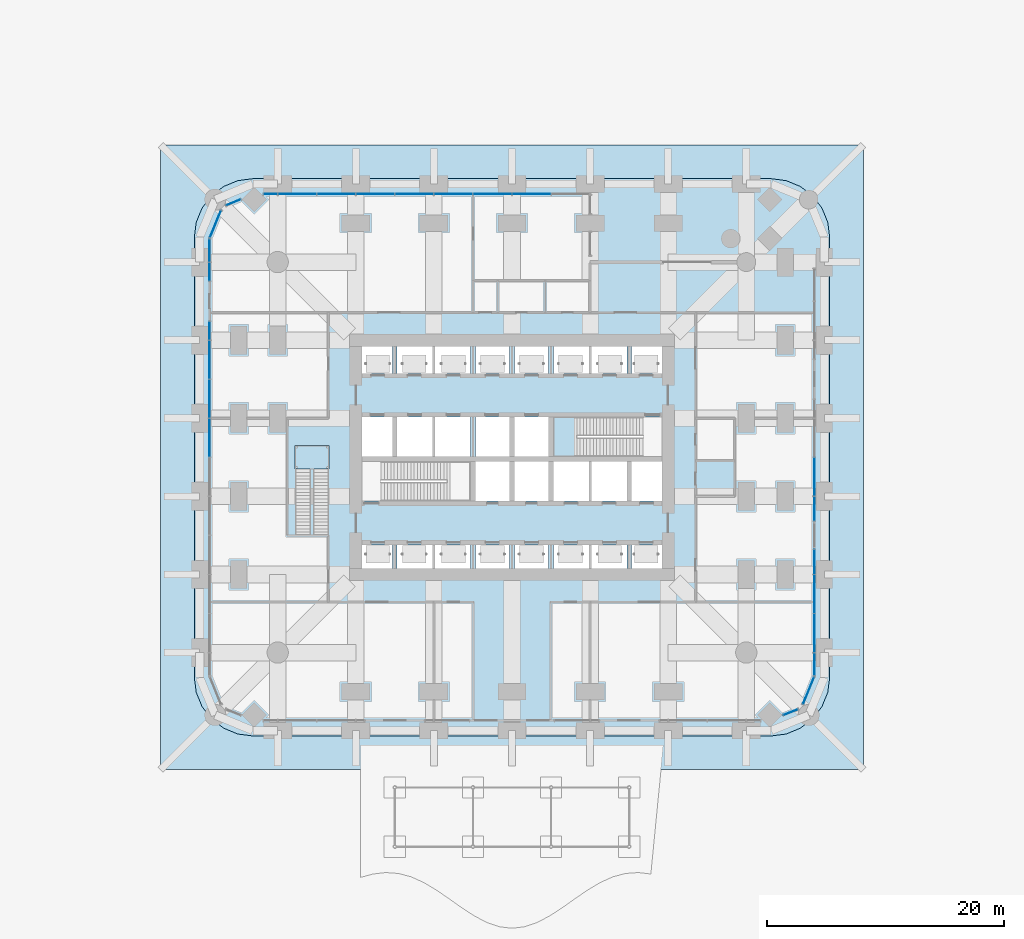
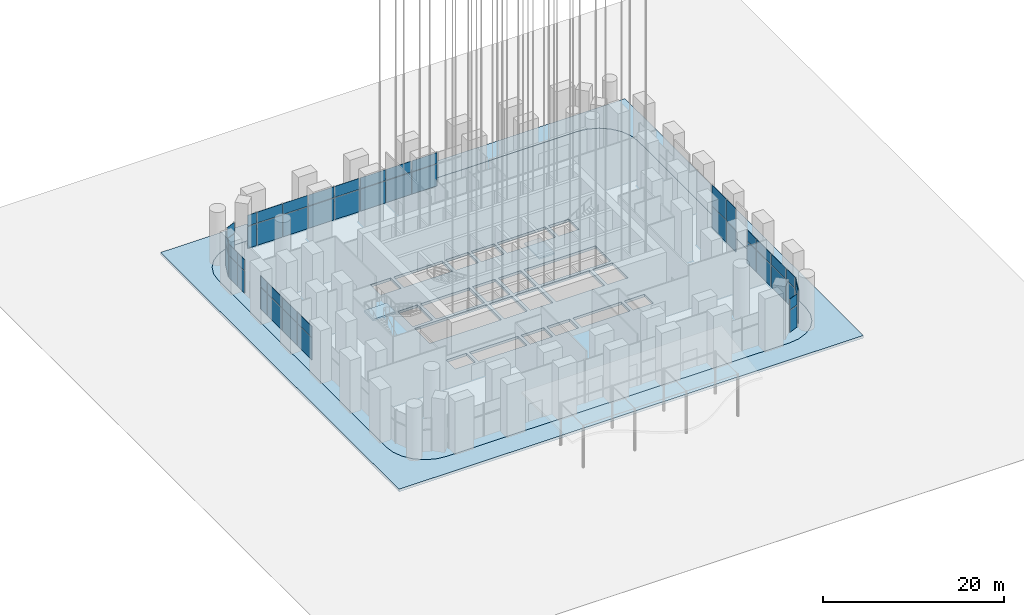
# One storey, part 13 of 32: 48 plates, 4 slabs, 11 elements without a shape of their own.
"""IFC4 building model written with IfcOpenShell, lengths in metres."""

from ifc_helpers import new_model, si_unit, direction, frame, origin, origin_2d, place, context, subcontext, project, spatial, polyline, rectangle, outline, extrude, material, layer, layer_set, type_object, element, aggregate, save


model = new_model("IFC4")

# Units and contexts
model_context = context("Model", 3, precision=1e-05, world=origin(), true_north=direction((0.0, 1.0)))
body_context = subcontext(model_context, "Body", "Model", "MODEL_VIEW")
ifc_project = project(units=[si_unit("LENGTHUNIT", "METRE"), si_unit("AREAUNIT", "SQUARE_METRE"), si_unit("VOLUMEUNIT", "CUBIC_METRE"), si_unit("PLANEANGLEUNIT", "RADIAN"), si_unit("MASSUNIT", "GRAM", prefix="KILO")], contexts=[model_context])

# Site, building, storey
site_placement = place(None, origin())
site = spatial("IfcSite", under=ifc_project, at=site_placement, CompositionType="ELEMENT")
building_placement = place(site_placement, origin())
building = spatial("IfcBuilding", under=site, at=building_placement, Name="Cobogo Forest Laboratory Tower", CompositionType="ELEMENT")
storey_placement = place(building_placement, origin())
storey = spatial("IfcBuildingStorey", under=building, at=storey_placement, Name="L00", CompositionType="ELEMENT", Elevation=0.0)

# Stair, slab
ifc_material_1 = material(Name="Cast-in-place concrete HA-40 (C40/50)", Category="concrete")
stair_type_1 = type_object("IfcStairType", Name="FST1 feature stair 42 risers", PredefinedType="HALF_TURN_STAIR", material=ifc_material_1)
stair_1_placement = place(storey_placement, origin())
stair_1 = element("IfcStair", 1, at=stair_1_placement, inside=storey, type_object=stair_type_1, Name="Feature stair FST1 L00 to L01", PredefinedType="HALF_TURN_STAIR")
ifc_material_2 = material(Name="Concrete HA-40 (C40/50)", Category="concrete")
ifc_layer_1 = layer(ifc_material_2, 0.25)
ifc_layer_set_1 = layer_set([ifc_layer_1], Name="FSL feature stair landing 250")
slab_type_1 = type_object("IfcSlabType", Name="FSL feature stair landing 250", PredefinedType="LANDING", material=ifc_layer_set_1)
slab_1_placement = place(storey_placement, frame((0.0, 0.0, 3.35009765625)))
slab_1 = element("IfcSlab", 2, at=slab_1_placement, type_object=slab_type_1, Name="FST1 landing 1", PredefinedType="LANDING", context=body_context, shape_type="SweptSolid", body=[
    extrude(outline(polyline([(8.050048828125, 22.10009765625), (10.949951171875, 22.10009765625), (10.949951171875, 24.10009765625), (8.050048828125, 24.10009765625), (8.050048828125, 22.10009765625)])), origin(), (0.0, 0.0, 1.0), 0.25),
])
aggregate(stair_1, [slab_1])

# Curtain wall, plates
ifc_material_3 = material(Name="Aluminium curtain wall", Category="aluminium")
curtain_wall_type = type_object("IfcCurtainWallType", Name="CW-L structural glazing, entrance lobby", PredefinedType="USERDEFINED", material=ifc_material_3)
curtain_wall_1_placement = place(storey_placement, origin())
curtain_wall_1 = element("IfcCurtainWall", 3, at=curtain_wall_1_placement, inside=storey, type_object=curtain_wall_type, Name="Curtain wall 03 L00", ObjectType="STRUCTURAL GLAZING", PredefinedType="USERDEFINED")
ifc_material_4 = material(Name="Laminated insulated glass", Category="glass")
ifc_layer_2 = layer(ifc_material_4, 0.0439453125)
ifc_layer_set_2 = layer_set([ifc_layer_2], Name="GP-3 laminated glass unit 44")
plate_type = type_object("IfcPlateType", Name="GP-3 laminated glass unit 44", PredefinedType="CURTAIN_PANEL", material=ifc_layer_set_2)
plate_1_placement = place(storey_placement, frame((0.85009765625, 24.75, 0.0), z_axis=(0.0, 0.0, 1.0), x_axis=(0.0, 1.0, 0.0)))
plate_1 = element("IfcPlate", 4, at=plate_1_placement, type_object=plate_type, Name="CW-L panel 7.1", PredefinedType="CURTAIN_PANEL", context=body_context, shape_type="SweptSolid", body=[
    extrude(rectangle(XDim=3.219970703125, YDim=0.0439453125, at=origin_2d()), origin(), (0.0, 0.0, 1.0), 2.9599609375),
])
plate_2_placement = place(storey_placement, frame((0.85009765625, 24.75, 3.0400390625), z_axis=(0.0, 0.0, 1.0), x_axis=(0.0, 1.0, 0.0)))
plate_2 = element("IfcPlate", 5, at=plate_2_placement, type_object=plate_type, Name="CW-L panel 7.2", PredefinedType="CURTAIN_PANEL", context=body_context, shape_type="SweptSolid", body=[
    extrude(rectangle(XDim=3.219970703125, YDim=0.0439453125, at=origin_2d()), origin(), (0.0, 0.0, 1.0), 1.4599609375),
])
plate_3_placement = place(storey_placement, frame((0.85009765625, 28.050048828125, 0.0), z_axis=(0.0, 0.0, 1.0), x_axis=(0.0, 1.0, 0.0)))
plate_3 = element("IfcPlate", 6, at=plate_3_placement, type_object=plate_type, Name="CW-L panel 8.1", PredefinedType="CURTAIN_PANEL", context=body_context, shape_type="SweptSolid", body=[
    extrude(rectangle(XDim=3.219970703125, YDim=0.0439453125, at=origin_2d()), origin(), (0.0, 0.0, 1.0), 2.9599609375),
])
plate_4_placement = place(storey_placement, frame((0.85009765625, 28.050048828125, 3.0400390625), z_axis=(0.0, 0.0, 1.0), x_axis=(0.0, 1.0, 0.0)))
plate_4 = element("IfcPlate", 7, at=plate_4_placement, type_object=plate_type, Name="CW-L panel 8.2", PredefinedType="CURTAIN_PANEL", context=body_context, shape_type="SweptSolid", body=[
    extrude(rectangle(XDim=3.219970703125, YDim=0.0439453125, at=origin_2d()), origin(), (0.0, 0.0, 1.0), 1.4599609375),
])
plate_5_placement = place(storey_placement, frame((0.85009765625, 31.35009765625, 0.0), z_axis=(0.0, 0.0, 1.0), x_axis=(0.0, 1.0, 0.0)))
plate_5 = element("IfcPlate", 8, at=plate_5_placement, type_object=plate_type, Name="CW-L panel 9.1", PredefinedType="CURTAIN_PANEL", context=body_context, shape_type="SweptSolid", body=[
    extrude(rectangle(XDim=3.219970703125, YDim=0.0439453125, at=origin_2d()), origin(), (0.0, 0.0, 1.0), 2.9599609375),
])
plate_6_placement = place(storey_placement, frame((0.85009765625, 31.35009765625, 3.0400390625), z_axis=(0.0, 0.0, 1.0), x_axis=(0.0, 1.0, 0.0)))
plate_6 = element("IfcPlate", 9, at=plate_6_placement, type_object=plate_type, Name="CW-L panel 9.2", PredefinedType="CURTAIN_PANEL", context=body_context, shape_type="SweptSolid", body=[
    extrude(rectangle(XDim=3.219970703125, YDim=0.0439453125, at=origin_2d()), origin(), (0.0, 0.0, 1.0), 1.4599609375),
])
plate_7_placement = place(storey_placement, frame((0.85009765625, 33.804931640625, 0.0), z_axis=(0.0, 0.0, 1.0), x_axis=(0.0, 1.0, 0.0)))
plate_7 = element("IfcPlate", 10, at=plate_7_placement, type_object=plate_type, Name="CW-L panel 10.1", PredefinedType="CURTAIN_PANEL", context=body_context, shape_type="SweptSolid", body=[
    extrude(rectangle(XDim=1.530029296875, YDim=0.0439453125, at=origin_2d()), origin(), (0.0, 0.0, 1.0), 2.9599609375),
])
plate_8_placement = place(storey_placement, frame((0.85009765625, 33.804931640625, 3.0400390625), z_axis=(0.0, 0.0, 1.0), x_axis=(0.0, 1.0, 0.0)))
plate_8 = element("IfcPlate", 11, at=plate_8_placement, type_object=plate_type, Name="CW-L panel 10.2", PredefinedType="CURTAIN_PANEL", context=body_context, shape_type="SweptSolid", body=[
    extrude(rectangle(XDim=1.530029296875, YDim=0.0439453125, at=origin_2d()), origin(), (0.0, 0.0, 1.0), 1.4599609375),
])
aggregate(curtain_wall_1, [plate_1, plate_2, plate_3, plate_4, plate_5, plate_6, plate_7, plate_8])

curtain_wall_2_placement = place(storey_placement, origin())
curtain_wall_2 = element("IfcCurtainWall", 12, at=curtain_wall_2_placement, inside=storey, type_object=curtain_wall_type, Name="Curtain wall 04 L00", ObjectType="STRUCTURAL GLAZING", PredefinedType="USERDEFINED")
plate_9_placement = place(storey_placement, frame((0.85009765625, 38.794921875, 0.0), z_axis=(0.0, 0.0, 1.0), x_axis=(0.0, 1.0, 0.0)))
plate_9 = element("IfcPlate", 13, at=plate_9_placement, type_object=plate_type, Name="CW-L panel 1.1", PredefinedType="CURTAIN_PANEL", context=body_context, shape_type="SweptSolid", body=[
    extrude(rectangle(XDim=1.530029296875, YDim=0.0439453125, at=origin_2d()), origin(), (0.0, 0.0, 1.0), 2.9599609375),
])
plate_10_placement = place(storey_placement, frame((0.85009765625, 38.794921875, 3.0400390625), z_axis=(0.0, 0.0, 1.0), x_axis=(0.0, 1.0, 0.0)))
plate_10 = element("IfcPlate", 14, at=plate_10_placement, type_object=plate_type, Name="CW-L panel 1.2", PredefinedType="CURTAIN_PANEL", context=body_context, shape_type="SweptSolid", body=[
    extrude(rectangle(XDim=1.530029296875, YDim=0.0439453125, at=origin_2d()), origin(), (0.0, 0.0, 1.0), 1.4599609375),
])
plate_11_placement = place(storey_placement, frame((0.85009765625, 40.58740234375, 0.0), z_axis=(0.0, 0.0, 1.0), x_axis=(0.0, 1.0, 0.0)))
plate_11 = element("IfcPlate", 15, at=plate_11_placement, type_object=plate_type, Name="CW-L panel 2.1", PredefinedType="CURTAIN_PANEL", context=body_context, shape_type="SweptSolid", body=[
    extrude(rectangle(XDim=1.894775390625, YDim=0.0439453125, at=origin_2d()), origin(), (0.0, 0.0, 1.0), 2.9599609375),
])
plate_12_placement = place(storey_placement, frame((0.85009765625, 40.58740234375, 3.0400390625), z_axis=(0.0, 0.0, 1.0), x_axis=(0.0, 1.0, 0.0)))
plate_12 = element("IfcPlate", 16, at=plate_12_placement, type_object=plate_type, Name="CW-L panel 2.2", PredefinedType="CURTAIN_PANEL", context=body_context, shape_type="SweptSolid", body=[
    extrude(rectangle(XDim=1.894775390625, YDim=0.0439453125, at=origin_2d()), origin(), (0.0, 0.0, 1.0), 1.4599609375),
])
aggregate(curtain_wall_2, [plate_9, plate_10, plate_11, plate_12])

curtain_wall_3_placement = place(storey_placement, origin())
curtain_wall_3 = element("IfcCurtainWall", 17, at=curtain_wall_3_placement, inside=storey, type_object=curtain_wall_type, Name="Curtain wall 05 L00", ObjectType="STRUCTURAL GLAZING", PredefinedType="USERDEFINED")
plate_13_placement = place(storey_placement, frame((1.337890625, 42.819091796875, 0.0), z_axis=(0.0, 0.0, 1.0), x_axis=(0.375506890138, 0.926819602436, 0.0)))
plate_13 = element("IfcPlate", 18, at=plate_13_placement, type_object=plate_type, Name="CW-L panel 1.1", PredefinedType="CURTAIN_PANEL", context=body_context, shape_type="SweptSolid", body=[
    extrude(rectangle(XDim=2.438720703125, YDim=0.0439453125, at=origin_2d()), origin(), (0.0, 0.0, 1.0), 2.9599609375),
])
plate_14_placement = place(storey_placement, frame((1.337890625, 42.819091796875, 3.0400390625), z_axis=(0.0, 0.0, 1.0), x_axis=(0.375506890138, 0.926819602436, 0.0)))
plate_14 = element("IfcPlate", 19, at=plate_14_placement, type_object=plate_type, Name="CW-L panel 1.2", PredefinedType="CURTAIN_PANEL", context=body_context, shape_type="SweptSolid", body=[
    extrude(rectangle(XDim=2.438720703125, YDim=0.0439453125, at=origin_2d()), origin(), (0.0, 0.0, 1.0), 1.4599609375),
])
aggregate(curtain_wall_3, [plate_13, plate_14])

curtain_wall_4_placement = place(storey_placement, origin())
curtain_wall_4 = element("IfcCurtainWall", 20, at=curtain_wall_4_placement, inside=storey, type_object=curtain_wall_type, Name="Curtain wall 06 L00", ObjectType="STRUCTURAL GLAZING", PredefinedType="USERDEFINED")
plate_15_placement = place(storey_placement, frame((2.857177734375, 44.64990234375, 0.0), z_axis=(0.0, 0.0, 1.0), x_axis=(0.926819589551, 0.37550692194, 0.0)))
plate_15 = element("IfcPlate", 21, at=plate_15_placement, type_object=plate_type, Name="CW-L panel 1.1", PredefinedType="CURTAIN_PANEL", context=body_context, shape_type="SweptSolid", body=[
    extrude(rectangle(XDim=1.30810546875, YDim=0.0439453125, at=origin_2d()), origin(), (0.0, 0.0, 1.0), 2.9599609375),
])
plate_16_placement = place(storey_placement, frame((2.857177734375, 44.64990234375, 3.0400390625), z_axis=(0.0, 0.0, 1.0), x_axis=(0.926819589551, 0.37550692194, 0.0)))
plate_16 = element("IfcPlate", 22, at=plate_16_placement, type_object=plate_type, Name="CW-L panel 1.2", PredefinedType="CURTAIN_PANEL", context=body_context, shape_type="SweptSolid", body=[
    extrude(rectangle(XDim=1.30810546875, YDim=0.0439453125, at=origin_2d()), origin(), (0.0, 0.0, 1.0), 1.4599609375),
])
aggregate(curtain_wall_4, [plate_15, plate_16])

curtain_wall_5_placement = place(storey_placement, origin())
curtain_wall_5 = element("IfcCurtainWall", 23, at=curtain_wall_5_placement, inside=storey, type_object=curtain_wall_type, Name="Curtain wall 07 L00", ObjectType="STRUCTURAL GLAZING", PredefinedType="USERDEFINED")
plate_17_placement = place(storey_placement, frame((5.98779296875, 45.35009765625, 0.0), z_axis=(0.0, 0.0, 1.0), x_axis=(1.0, 0.0, 0.0)))
plate_17 = element("IfcPlate", 24, at=plate_17_placement, type_object=plate_type, Name="CW-L panel 1.1", PredefinedType="CURTAIN_PANEL", context=body_context, shape_type="SweptSolid", body=[
    extrude(rectangle(XDim=1.144287109375, YDim=0.0439453125, at=origin_2d()), origin(), (0.0, 0.0, 1.0), 2.9599609375),
])
plate_18_placement = place(storey_placement, frame((5.98779296875, 45.35009765625, 3.0400390625), z_axis=(0.0, 0.0, 1.0), x_axis=(1.0, 0.0, 0.0)))
plate_18 = element("IfcPlate", 25, at=plate_18_placement, type_object=plate_type, Name="CW-L panel 1.2", PredefinedType="CURTAIN_PANEL", context=body_context, shape_type="SweptSolid", body=[
    extrude(rectangle(XDim=1.144287109375, YDim=0.0439453125, at=origin_2d()), origin(), (0.0, 0.0, 1.0), 1.4599609375),
])
plate_19_placement = place(storey_placement, frame((8.25, 45.35009765625, 0.0), z_axis=(0.0, 0.0, 1.0), x_axis=(1.0, 0.0, 0.0)))
plate_19 = element("IfcPlate", 26, at=plate_19_placement, type_object=plate_type, Name="CW-L panel 2.1", PredefinedType="CURTAIN_PANEL", context=body_context, shape_type="SweptSolid", body=[
    extrude(rectangle(XDim=3.219970703125, YDim=0.0439453125, at=origin_2d()), origin(), (0.0, 0.0, 1.0), 2.9599609375),
])
plate_20_placement = place(storey_placement, frame((8.25, 45.35009765625, 3.0400390625), z_axis=(0.0, 0.0, 1.0), x_axis=(1.0, 0.0, 0.0)))
plate_20 = element("IfcPlate", 27, at=plate_20_placement, type_object=plate_type, Name="CW-L panel 2.2", PredefinedType="CURTAIN_PANEL", context=body_context, shape_type="SweptSolid", body=[
    extrude(rectangle(XDim=3.219970703125, YDim=0.0439453125, at=origin_2d()), origin(), (0.0, 0.0, 1.0), 1.4599609375),
])
plate_21_placement = place(storey_placement, frame((11.550048828125, 45.35009765625, 0.0), z_axis=(0.0, 0.0, 1.0), x_axis=(1.0, 0.0, 0.0)))
plate_21 = element("IfcPlate", 28, at=plate_21_placement, type_object=plate_type, Name="CW-L panel 3.1", PredefinedType="CURTAIN_PANEL", context=body_context, shape_type="SweptSolid", body=[
    extrude(rectangle(XDim=3.219970703125, YDim=0.0439453125, at=origin_2d()), origin(), (0.0, 0.0, 1.0), 2.9599609375),
])
plate_22_placement = place(storey_placement, frame((11.550048828125, 45.35009765625, 3.0400390625), z_axis=(0.0, 0.0, 1.0), x_axis=(1.0, 0.0, 0.0)))
plate_22 = element("IfcPlate", 29, at=plate_22_placement, type_object=plate_type, Name="CW-L panel 3.2", PredefinedType="CURTAIN_PANEL", context=body_context, shape_type="SweptSolid", body=[
    extrude(rectangle(XDim=3.219970703125, YDim=0.0439453125, at=origin_2d()), origin(), (0.0, 0.0, 1.0), 1.4599609375),
])
plate_23_placement = place(storey_placement, frame((14.85009765625, 45.35009765625, 0.0), z_axis=(0.0, 0.0, 1.0), x_axis=(1.0, 0.0, 0.0)))
plate_23 = element("IfcPlate", 30, at=plate_23_placement, type_object=plate_type, Name="CW-L panel 4.1", PredefinedType="CURTAIN_PANEL", context=body_context, shape_type="SweptSolid", body=[
    extrude(rectangle(XDim=3.219970703125, YDim=0.0439453125, at=origin_2d()), origin(), (0.0, 0.0, 1.0), 2.9599609375),
])
plate_24_placement = place(storey_placement, frame((14.85009765625, 45.35009765625, 3.0400390625), z_axis=(0.0, 0.0, 1.0), x_axis=(1.0, 0.0, 0.0)))
plate_24 = element("IfcPlate", 31, at=plate_24_placement, type_object=plate_type, Name="CW-L panel 4.2", PredefinedType="CURTAIN_PANEL", context=body_context, shape_type="SweptSolid", body=[
    extrude(rectangle(XDim=3.219970703125, YDim=0.0439453125, at=origin_2d()), origin(), (0.0, 0.0, 1.0), 1.4599609375),
])
plate_25_placement = place(storey_placement, frame((18.14990234375, 45.35009765625, 0.0), z_axis=(0.0, 0.0, 1.0), x_axis=(1.0, 0.0, 0.0)))
plate_25 = element("IfcPlate", 32, at=plate_25_placement, type_object=plate_type, Name="CW-L panel 5.1", PredefinedType="CURTAIN_PANEL", context=body_context, shape_type="SweptSolid", body=[
    extrude(rectangle(XDim=3.219970703125, YDim=0.0439453125, at=origin_2d()), origin(), (0.0, 0.0, 1.0), 2.9599609375),
])
plate_26_placement = place(storey_placement, frame((18.14990234375, 45.35009765625, 3.0400390625), z_axis=(0.0, 0.0, 1.0), x_axis=(1.0, 0.0, 0.0)))
plate_26 = element("IfcPlate", 33, at=plate_26_placement, type_object=plate_type, Name="CW-L panel 5.2", PredefinedType="CURTAIN_PANEL", context=body_context, shape_type="SweptSolid", body=[
    extrude(rectangle(XDim=3.219970703125, YDim=0.0439453125, at=origin_2d()), origin(), (0.0, 0.0, 1.0), 1.4599609375),
])
plate_27_placement = place(storey_placement, frame((21.449951171875, 45.35009765625, 0.0), z_axis=(0.0, 0.0, 1.0), x_axis=(1.0, 0.0, 0.0)))
plate_27 = element("IfcPlate", 34, at=plate_27_placement, type_object=plate_type, Name="CW-L panel 6.1", PredefinedType="CURTAIN_PANEL", context=body_context, shape_type="SweptSolid", body=[
    extrude(rectangle(XDim=3.219970703125, YDim=0.0439453125, at=origin_2d()), origin(), (0.0, 0.0, 1.0), 2.9599609375),
])
plate_28_placement = place(storey_placement, frame((21.449951171875, 45.35009765625, 3.0400390625), z_axis=(0.0, 0.0, 1.0), x_axis=(1.0, 0.0, 0.0)))
plate_28 = element("IfcPlate", 35, at=plate_28_placement, type_object=plate_type, Name="CW-L panel 6.2", PredefinedType="CURTAIN_PANEL", context=body_context, shape_type="SweptSolid", body=[
    extrude(rectangle(XDim=3.219970703125, YDim=0.0439453125, at=origin_2d()), origin(), (0.0, 0.0, 1.0), 1.4599609375),
])
plate_29_placement = place(storey_placement, frame((24.75, 45.35009765625, 0.0), z_axis=(0.0, 0.0, 1.0), x_axis=(1.0, 0.0, 0.0)))
plate_29 = element("IfcPlate", 36, at=plate_29_placement, type_object=plate_type, Name="CW-L panel 7.1", PredefinedType="CURTAIN_PANEL", context=body_context, shape_type="SweptSolid", body=[
    extrude(rectangle(XDim=3.219970703125, YDim=0.0439453125, at=origin_2d()), origin(), (0.0, 0.0, 1.0), 2.9599609375),
])
plate_30_placement = place(storey_placement, frame((24.75, 45.35009765625, 3.0400390625), z_axis=(0.0, 0.0, 1.0), x_axis=(1.0, 0.0, 0.0)))
plate_30 = element("IfcPlate", 37, at=plate_30_placement, type_object=plate_type, Name="CW-L panel 7.2", PredefinedType="CURTAIN_PANEL", context=body_context, shape_type="SweptSolid", body=[
    extrude(rectangle(XDim=3.219970703125, YDim=0.0439453125, at=origin_2d()), origin(), (0.0, 0.0, 1.0), 1.4599609375),
])
plate_31_placement = place(storey_placement, frame((28.050048828125, 45.35009765625, 0.0), z_axis=(0.0, 0.0, 1.0), x_axis=(1.0, 0.0, 0.0)))
plate_31 = element("IfcPlate", 38, at=plate_31_placement, type_object=plate_type, Name="CW-L panel 8.1", PredefinedType="CURTAIN_PANEL", context=body_context, shape_type="SweptSolid", body=[
    extrude(rectangle(XDim=3.219970703125, YDim=0.0439453125, at=origin_2d()), origin(), (0.0, 0.0, 1.0), 2.9599609375),
])
plate_32_placement = place(storey_placement, frame((28.050048828125, 45.35009765625, 3.0400390625), z_axis=(0.0, 0.0, 1.0), x_axis=(1.0, 0.0, 0.0)))
plate_32 = element("IfcPlate", 39, at=plate_32_placement, type_object=plate_type, Name="CW-L panel 8.2", PredefinedType="CURTAIN_PANEL", context=body_context, shape_type="SweptSolid", body=[
    extrude(rectangle(XDim=3.219970703125, YDim=0.0439453125, at=origin_2d()), origin(), (0.0, 0.0, 1.0), 1.4599609375),
])
aggregate(curtain_wall_5, [plate_17, plate_18, plate_19, plate_20, plate_21, plate_22, plate_23, plate_24, plate_25, plate_26, plate_27, plate_28, plate_29, plate_30, plate_31, plate_32])

curtain_wall_6_placement = place(storey_placement, origin())
curtain_wall_6 = element("IfcCurtainWall", 40, at=curtain_wall_6_placement, inside=storey, type_object=curtain_wall_type, Name="Curtain wall 11 L00", ObjectType="STRUCTURAL GLAZING", PredefinedType="USERDEFINED")
plate_33_placement = place(storey_placement, frame((51.949951171875, 21.449951171875, 0.0), z_axis=(0.0, 0.0, 1.0), x_axis=(0.0, -1.0, 0.0)))
plate_33 = element("IfcPlate", 41, at=plate_33_placement, type_object=plate_type, Name="CW-L panel 3.1", PredefinedType="CURTAIN_PANEL", context=body_context, shape_type="SweptSolid", body=[
    extrude(rectangle(XDim=3.219970703125, YDim=0.0439453125, at=origin_2d()), origin(), (0.0, 0.0, 1.0), 2.9599609375),
])
plate_34_placement = place(storey_placement, frame((51.949951171875, 21.449951171875, 3.0400390625), z_axis=(0.0, 0.0, 1.0), x_axis=(0.0, -1.0, 0.0)))
plate_34 = element("IfcPlate", 42, at=plate_34_placement, type_object=plate_type, Name="CW-L panel 3.2", PredefinedType="CURTAIN_PANEL", context=body_context, shape_type="SweptSolid", body=[
    extrude(rectangle(XDim=3.219970703125, YDim=0.0439453125, at=origin_2d()), origin(), (0.0, 0.0, 1.0), 2.81005859375),
])
plate_35_placement = place(storey_placement, frame((51.949951171875, 18.7451171875, 0.0), z_axis=(0.0, 0.0, 1.0), x_axis=(0.0, -1.0, 0.0)))
plate_35 = element("IfcPlate", 43, at=plate_35_placement, type_object=plate_type, Name="CW-L panel 4.1", PredefinedType="CURTAIN_PANEL", context=body_context, shape_type="SweptSolid", body=[
    extrude(rectangle(XDim=2.030029296875, YDim=0.0439453125, at=origin_2d()), origin(), (0.0, 0.0, 1.0), 2.9599609375),
])
plate_36_placement = place(storey_placement, frame((51.949951171875, 18.7451171875, 3.0400390625), z_axis=(0.0, 0.0, 1.0), x_axis=(0.0, -1.0, 0.0)))
plate_36 = element("IfcPlate", 44, at=plate_36_placement, type_object=plate_type, Name="CW-L panel 4.2", PredefinedType="CURTAIN_PANEL", context=body_context, shape_type="SweptSolid", body=[
    extrude(rectangle(XDim=2.030029296875, YDim=0.0439453125, at=origin_2d()), origin(), (0.0, 0.0, 1.0), 2.81005859375),
])
aggregate(curtain_wall_6, [plate_33, plate_34, plate_35, plate_36])

curtain_wall_7_placement = place(storey_placement, origin())
curtain_wall_7 = element("IfcCurtainWall", 45, at=curtain_wall_7_placement, inside=storey, type_object=curtain_wall_type, Name="Curtain wall 12 L00", ObjectType="STRUCTURAL GLAZING", PredefinedType="USERDEFINED")
plate_37_placement = place(storey_placement, frame((51.949951171875, 14.2548828125, 0.0), z_axis=(0.0, 0.0, 1.0), x_axis=(0.0, -1.0, 0.0)))
plate_37 = element("IfcPlate", 46, at=plate_37_placement, type_object=plate_type, Name="CW-L panel 1.1", PredefinedType="CURTAIN_PANEL", context=body_context, shape_type="SweptSolid", body=[
    extrude(rectangle(XDim=2.030029296875, YDim=0.0439453125, at=origin_2d()), origin(), (0.0, 0.0, 1.0), 2.9599609375),
])
plate_38_placement = place(storey_placement, frame((51.949951171875, 14.2548828125, 3.0400390625), z_axis=(0.0, 0.0, 1.0), x_axis=(0.0, -1.0, 0.0)))
plate_38 = element("IfcPlate", 47, at=plate_38_placement, type_object=plate_type, Name="CW-L panel 1.2", PredefinedType="CURTAIN_PANEL", context=body_context, shape_type="SweptSolid", body=[
    extrude(rectangle(XDim=2.030029296875, YDim=0.0439453125, at=origin_2d()), origin(), (0.0, 0.0, 1.0), 1.4599609375),
])
plate_39_placement = place(storey_placement, frame((51.949951171875, 11.550048828125, 0.0), z_axis=(0.0, 0.0, 1.0), x_axis=(0.0, -1.0, 0.0)))
plate_39 = element("IfcPlate", 48, at=plate_39_placement, type_object=plate_type, Name="CW-L panel 2.1", PredefinedType="CURTAIN_PANEL", context=body_context, shape_type="SweptSolid", body=[
    extrude(rectangle(XDim=3.219970703125, YDim=0.0439453125, at=origin_2d()), origin(), (0.0, 0.0, 1.0), 2.9599609375),
])
plate_40_placement = place(storey_placement, frame((51.949951171875, 11.550048828125, 3.0400390625), z_axis=(0.0, 0.0, 1.0), x_axis=(0.0, -1.0, 0.0)))
plate_40 = element("IfcPlate", 49, at=plate_40_placement, type_object=plate_type, Name="CW-L panel 2.2", PredefinedType="CURTAIN_PANEL", context=body_context, shape_type="SweptSolid", body=[
    extrude(rectangle(XDim=3.219970703125, YDim=0.0439453125, at=origin_2d()), origin(), (0.0, 0.0, 1.0), 1.4599609375),
])
plate_41_placement = place(storey_placement, frame((51.949951171875, 8.25, 0.0), z_axis=(0.0, 0.0, 1.0), x_axis=(0.0, -1.0, 0.0)))
plate_41 = element("IfcPlate", 50, at=plate_41_placement, type_object=plate_type, Name="CW-L panel 3.1", PredefinedType="CURTAIN_PANEL", context=body_context, shape_type="SweptSolid", body=[
    extrude(rectangle(XDim=3.219970703125, YDim=0.0439453125, at=origin_2d()), origin(), (0.0, 0.0, 1.0), 2.9599609375),
])
plate_42_placement = place(storey_placement, frame((51.949951171875, 8.25, 3.0400390625), z_axis=(0.0, 0.0, 1.0), x_axis=(0.0, -1.0, 0.0)))
plate_42 = element("IfcPlate", 51, at=plate_42_placement, type_object=plate_type, Name="CW-L panel 3.2", PredefinedType="CURTAIN_PANEL", context=body_context, shape_type="SweptSolid", body=[
    extrude(rectangle(XDim=3.219970703125, YDim=0.0439453125, at=origin_2d()), origin(), (0.0, 0.0, 1.0), 1.4599609375),
])
plate_43_placement = place(storey_placement, frame((51.949951171875, 5.612548828125, 0.0), z_axis=(0.0, 0.0, 1.0), x_axis=(0.0, -1.0, 0.0)))
plate_43 = element("IfcPlate", 52, at=plate_43_placement, type_object=plate_type, Name="CW-L panel 4.1", PredefinedType="CURTAIN_PANEL", context=body_context, shape_type="SweptSolid", body=[
    extrude(rectangle(XDim=1.894775390625, YDim=0.0439453125, at=origin_2d()), origin(), (0.0, 0.0, 1.0), 2.9599609375),
])
plate_44_placement = place(storey_placement, frame((51.949951171875, 5.612548828125, 3.0400390625), z_axis=(0.0, 0.0, 1.0), x_axis=(0.0, -1.0, 0.0)))
plate_44 = element("IfcPlate", 53, at=plate_44_placement, type_object=plate_type, Name="CW-L panel 4.2", PredefinedType="CURTAIN_PANEL", context=body_context, shape_type="SweptSolid", body=[
    extrude(rectangle(XDim=1.894775390625, YDim=0.0439453125, at=origin_2d()), origin(), (0.0, 0.0, 1.0), 1.4599609375),
])
aggregate(curtain_wall_7, [plate_37, plate_38, plate_39, plate_40, plate_41, plate_42, plate_43, plate_44])

curtain_wall_8_placement = place(storey_placement, origin())
curtain_wall_8 = element("IfcCurtainWall", 54, at=curtain_wall_8_placement, inside=storey, type_object=curtain_wall_type, Name="Curtain wall 13 L00", ObjectType="STRUCTURAL GLAZING", PredefinedType="USERDEFINED")
plate_45_placement = place(storey_placement, frame((51.462158203125, 3.380859375, 0.0), z_axis=(0.0, 0.0, 1.0), x_axis=(-0.375506890138, -0.926819602436, 0.0)))
plate_45 = element("IfcPlate", 55, at=plate_45_placement, type_object=plate_type, Name="CW-L panel 1.1", PredefinedType="CURTAIN_PANEL", context=body_context, shape_type="SweptSolid", body=[
    extrude(rectangle(XDim=2.438720703125, YDim=0.0439453125, at=origin_2d()), origin(), (0.0, 0.0, 1.0), 2.9599609375),
])
plate_46_placement = place(storey_placement, frame((51.462158203125, 3.380859375, 3.0400390625), z_axis=(0.0, 0.0, 1.0), x_axis=(-0.375506890138, -0.926819602436, 0.0)))
plate_46 = element("IfcPlate", 56, at=plate_46_placement, type_object=plate_type, Name="CW-L panel 1.2", PredefinedType="CURTAIN_PANEL", context=body_context, shape_type="SweptSolid", body=[
    extrude(rectangle(XDim=2.438720703125, YDim=0.0439453125, at=origin_2d()), origin(), (0.0, 0.0, 1.0), 1.4599609375),
])
aggregate(curtain_wall_8, [plate_45, plate_46])

curtain_wall_9_placement = place(storey_placement, origin())
curtain_wall_9 = element("IfcCurtainWall", 57, at=curtain_wall_9_placement, inside=storey, type_object=curtain_wall_type, Name="Curtain wall 14 L00", ObjectType="STRUCTURAL GLAZING", PredefinedType="USERDEFINED")
plate_47_placement = place(storey_placement, frame((49.94287109375, 1.550048828125, 0.0), z_axis=(0.0, 0.0, 1.0), x_axis=(-0.926819589551, -0.37550692194, 0.0)))
plate_47 = element("IfcPlate", 58, at=plate_47_placement, type_object=plate_type, Name="CW-L panel 1.1", PredefinedType="CURTAIN_PANEL", context=body_context, shape_type="SweptSolid", body=[
    extrude(rectangle(XDim=1.30810546875, YDim=0.0439453125, at=origin_2d()), origin(), (0.0, 0.0, 1.0), 2.9599609375),
])
plate_48_placement = place(storey_placement, frame((49.94287109375, 1.550048828125, 3.0400390625), z_axis=(0.0, 0.0, 1.0), x_axis=(-0.926819589551, -0.37550692194, 0.0)))
plate_48 = element("IfcPlate", 59, at=plate_48_placement, type_object=plate_type, Name="CW-L panel 1.2", PredefinedType="CURTAIN_PANEL", context=body_context, shape_type="SweptSolid", body=[
    extrude(rectangle(XDim=1.30810546875, YDim=0.0439453125, at=origin_2d()), origin(), (0.0, 0.0, 1.0), 1.4599609375),
])
aggregate(curtain_wall_9, [plate_47, plate_48])

# Slabs
ifc_layer_3 = layer(ifc_material_2, 0.35009765625)
ifc_layer_set_3 = layer_set([ifc_layer_3], Name="Podium deck slab 350")
slab_type_2 = type_object("IfcSlabType", Name="Podium deck slab 350", PredefinedType="FLOOR", material=ifc_layer_set_3)
slab_2_placement = place(storey_placement, frame((0.0, 0.0, -0.35009765625)))
element("IfcSlab", 60, at=slab_2_placement, inside=storey, type_object=slab_type_2, Name="L00 floor slab", PredefinedType="FLOOR", context=body_context, shape_type="SweptSolid", body=[
    extrude(outline(polyline([(48.300048828125, -0.449951171875), (49.5810546875, -0.28125), (50.77490234375, 0.213134765625), (51.80029296875, 0.999755859375), (52.5869140625, 2.02490234375), (53.081298828125, 3.21875), (53.25, 4.5), (53.25, 41.699951171875), (53.081298828125, 42.981201171875), (52.5869140625, 44.175048828125), (51.80029296875, 45.2001953125), (50.77490234375, 45.98681640625), (49.5810546875, 46.4814453125), (48.300048828125, 46.64990234375), (4.5, 46.64990234375), (3.21875, 46.4814453125), (2.02490234375, 45.98681640625), (0.999755859375, 45.2001953125), (0.213134765625, 44.175048828125), (-0.28125, 42.981201171875), (-0.449951171875, 41.699951171875), (-0.449951171875, 4.5), (-0.28125, 3.21875), (0.213134765625, 2.02490234375), (0.999755859375, 0.999755859375), (2.02490234375, 0.213134765625), (3.21875, -0.28125), (4.5, -0.449951171875), (48.300048828125, -0.449951171875)]), holes=[polyline([(16.300048828125, 13.72509765625), (13.72509765625, 13.72509765625), (13.72509765625, 15.699951171875), (16.300048828125, 15.699951171875), (16.300048828125, 13.72509765625)]), polyline([(22.89990234375, 15.699951171875), (22.89990234375, 13.72509765625), (16.699951171875, 13.72509765625), (16.699951171875, 15.699951171875), (22.89990234375, 15.699951171875)]), polyline([(23.300048828125, 13.72509765625), (23.300048828125, 15.699951171875), (26.199951171875, 15.699951171875), (26.199951171875, 13.72509765625), (23.300048828125, 13.72509765625)]), polyline([(29.5, 13.72509765625), (26.60009765625, 13.72509765625), (26.60009765625, 15.699951171875), (29.5, 15.699951171875), (29.5, 13.72509765625)]), polyline([(36.10009765625, 15.699951171875), (36.10009765625, 13.72509765625), (29.89990234375, 13.72509765625), (29.89990234375, 15.699951171875), (36.10009765625, 15.699951171875)]), polyline([(36.5, 13.72509765625), (36.5, 15.699951171875), (39.074951171875, 15.699951171875), (39.074951171875, 13.72509765625), (36.5, 13.72509765625)]), polyline([(13.72509765625, 19.39990234375), (13.72509765625, 22.75), (22.89990234375, 22.75), (22.89990234375, 19.39990234375), (13.72509765625, 19.39990234375)]), polyline([(23.300048828125, 19.39990234375), (23.300048828125, 22.75), (26.199951171875, 22.75), (26.199951171875, 19.39990234375), (23.300048828125, 19.39990234375)]), polyline([(26.60009765625, 19.39990234375), (26.60009765625, 22.75), (29.5, 22.75), (29.5, 19.39990234375), (26.60009765625, 19.39990234375)]), polyline([(36.10009765625, 22.75), (36.10009765625, 19.39990234375), (29.89990234375, 19.39990234375), (29.89990234375, 22.75), (36.10009765625, 22.75)]), polyline([(39.074951171875, 19.39990234375), (36.5, 19.39990234375), (36.5, 22.75), (39.074951171875, 22.75), (39.074951171875, 19.39990234375)]), polyline([(13.72509765625, 23.14990234375), (13.72509765625, 26.5), (16.300048828125, 26.5), (16.300048828125, 23.14990234375), (13.72509765625, 23.14990234375)]), polyline([(22.89990234375, 26.5), (22.89990234375, 23.14990234375), (16.699951171875, 23.14990234375), (16.699951171875, 26.5), (22.89990234375, 26.5)]), polyline([(23.300048828125, 23.14990234375), (23.300048828125, 26.5), (26.199951171875, 26.5), (26.199951171875, 23.14990234375), (23.300048828125, 23.14990234375)]), polyline([(26.60009765625, 23.14990234375), (26.60009765625, 26.5), (29.5, 26.5), (29.5, 23.14990234375), (26.60009765625, 23.14990234375)]), polyline([(29.89990234375, 23.14990234375), (29.89990234375, 26.5), (39.074951171875, 26.5), (39.074951171875, 23.14990234375), (29.89990234375, 23.14990234375)]), polyline([(13.72509765625, 30.199951171875), (13.72509765625, 32.47509765625), (16.300048828125, 32.47509765625), (16.300048828125, 30.199951171875), (13.72509765625, 30.199951171875)]), polyline([(22.89990234375, 32.47509765625), (22.89990234375, 30.199951171875), (16.699951171875, 30.199951171875), (16.699951171875, 32.47509765625), (22.89990234375, 32.47509765625)]), polyline([(23.300048828125, 30.199951171875), (23.300048828125, 32.47509765625), (26.199951171875, 32.47509765625), (26.199951171875, 30.199951171875), (23.300048828125, 30.199951171875)]), polyline([(26.60009765625, 30.199951171875), (26.60009765625, 32.47509765625), (29.5, 32.47509765625), (29.5, 30.199951171875), (26.60009765625, 30.199951171875)]), polyline([(36.10009765625, 32.47509765625), (36.10009765625, 30.199951171875), (29.89990234375, 30.199951171875), (29.89990234375, 32.47509765625), (36.10009765625, 32.47509765625)]), polyline([(36.5, 30.199951171875), (36.5, 32.47509765625), (39.074951171875, 32.47509765625), (39.074951171875, 30.199951171875), (36.5, 30.199951171875)])]), origin(), (0.0, 0.0, 1.0), 0.35009765625),
])
slab_3_placement = place(storey_placement, frame((0.0, 0.0, -0.35009765625)))
element("IfcSlab", 61, at=slab_3_placement, inside=storey, type_object=slab_type_2, Name="Plaza podium deck over the basement", PredefinedType="FLOOR", context=body_context, shape_type="SweptSolid", body=[
    extrude(outline(polyline([(56.10009765625, -3.300048828125), (56.10009765625, 49.5), (-3.300048828125, 49.5), (-3.300048828125, -3.300048828125), (56.10009765625, -3.300048828125)]), holes=[polyline([(48.300048828125, -0.449951171875), (49.5810546875, -0.28125), (50.77490234375, 0.213134765625), (51.80029296875, 0.999755859375), (52.5869140625, 2.02490234375), (53.081298828125, 3.21875), (53.25, 4.5), (53.25, 41.699951171875), (53.081298828125, 42.981201171875), (52.5869140625, 44.175048828125), (51.80029296875, 45.2001953125), (50.77490234375, 45.98681640625), (49.5810546875, 46.4814453125), (48.300048828125, 46.64990234375), (4.5, 46.64990234375), (3.21875, 46.4814453125), (2.02490234375, 45.98681640625), (0.999755859375, 45.2001953125), (0.213134765625, 44.175048828125), (-0.28125, 42.981201171875), (-0.449951171875, 41.699951171875), (-0.449951171875, 4.5), (-0.28125, 3.21875), (0.213134765625, 2.02490234375), (0.999755859375, 0.999755859375), (2.02490234375, 0.213134765625), (3.21875, -0.28125), (4.5, -0.449951171875), (48.300048828125, -0.449951171875)])]), origin(), (0.0, 0.0, 1.0), 0.35009765625),
])

# Stair, slab
ifc_material_5 = material(Name="Precast concrete HA-40 (C40/50)", Category="concrete")
stair_type_2 = type_object("IfcStairType", Name="ST42 exit stair 42 risers", PredefinedType="HALF_TURN_STAIR", material=ifc_material_5)
stair_2_placement = place(storey_placement, origin())
stair_2 = element("IfcStair", 62, at=stair_2_placement, inside=storey, type_object=stair_type_2, Name="Stair 2 L00 to L01", PredefinedType="HALF_TURN_STAIR")
ifc_layer_4 = layer(ifc_material_2, 0.199951171875)
ifc_layer_set_4 = layer_set([ifc_layer_4], Name="SL stair landing 200")
slab_type_3 = type_object("IfcSlabType", Name="SL stair landing 200", PredefinedType="LANDING", material=ifc_layer_set_4)
slab_4_placement = place(storey_placement, frame((0.0, 0.0, 3.39990234375)))
slab_4 = element("IfcSlab", 63, at=slab_4_placement, type_object=slab_type_3, Name="ST2 landing 2", PredefinedType="LANDING", context=body_context, shape_type="SweptSolid", body=[
    extrude(outline(polyline([(29.89990234375, 23.14990234375), (31.876953125, 23.14990234375), (31.876953125, 26.5), (29.89990234375, 26.5), (29.89990234375, 23.14990234375)])), origin(), (0.0, 0.0, 1.0), 0.2001953125),
])
aggregate(stair_2, [slab_4])

save(model, "model.ifc")
